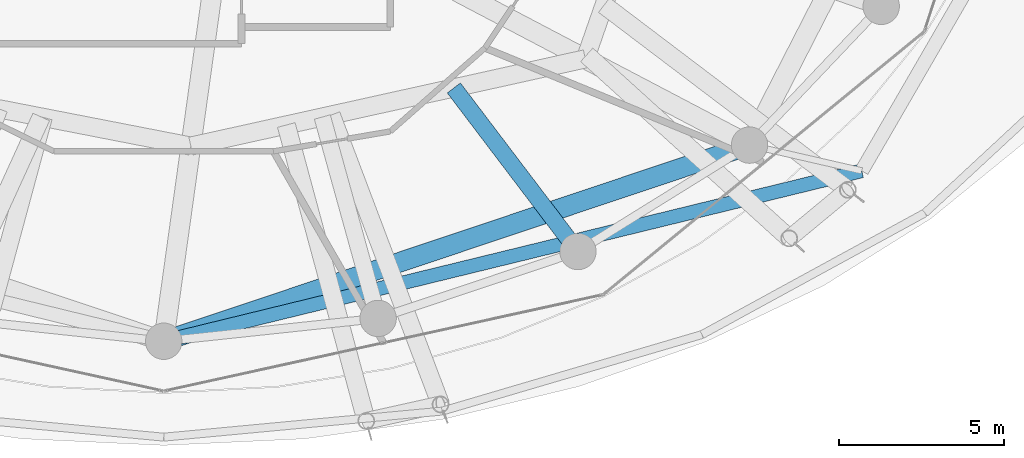
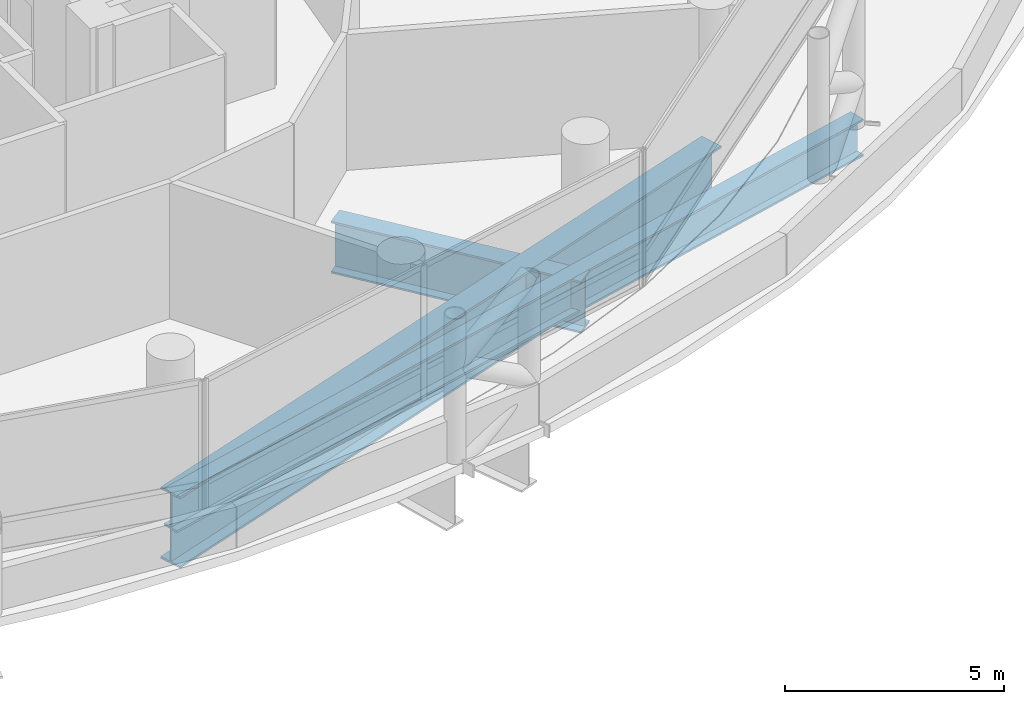
# One storey, part 11 of 37: 3 beams.
"""IFC4 building model written with IfcOpenShell, lengths in metres."""

from ifc_helpers import new_model, si_unit, direction, frame, origin, origin_2d, place, context, subcontext, project, spatial, i_section, extrude, material, material_profile, profile_set, type_object, element, save


model = new_model("IFC4")

# Units and contexts
model_context = context("Model", 3, precision=1e-05, world=origin(), true_north=direction((0.0, 1.0)))
body_context = subcontext(model_context, "Body", "Model", "MODEL_VIEW")
ifc_project = project(units=[si_unit("LENGTHUNIT", "METRE"), si_unit("AREAUNIT", "SQUARE_METRE"), si_unit("VOLUMEUNIT", "CUBIC_METRE"), si_unit("PLANEANGLEUNIT", "RADIAN"), si_unit("MASSUNIT", "GRAM", prefix="KILO")], contexts=[model_context])

# Site, building, storey
site_placement = place(None, origin())
site = spatial("IfcSite", under=ifc_project, at=site_placement, CompositionType="ELEMENT")
building_placement = place(site_placement, origin())
building = spatial("IfcBuilding", under=site, at=building_placement, Name="Nuhasar Tower", CompositionType="ELEMENT")
storey_placement = place(building_placement, frame((0.0, 0.0, 21.0)))
storey = spatial("IfcBuildingStorey", under=building, at=storey_placement, Name="L04", CompositionType="ELEMENT", Elevation=21.0)

# Beams
ifc_material = material(Name="Steel S460", Category="steel")
ifc_material_profile_1 = material_profile(ifc_material, i_section(OverallWidth=0.5, OverallDepth=1.449951171875, WebThickness=0.028076171875, FlangeThickness=0.050048828125, at=origin_2d()), Name="PG1450X500")
ifc_profile_set_1 = profile_set([ifc_material_profile_1], Name="Steel S460")
beam_type_1 = type_object("IfcBeamType", Name="BM-XFER-PG1450", PredefinedType="USERDEFINED", material=ifc_profile_set_1)
beam_1_placement = place(storey_placement, frame((47.77197265625, 14.208984375, -0.985107421875), z_axis=(0.604463936227, -0.796632506116, 0.0), x_axis=(0.796632506116, 0.604463936227, 0.0)))
element("IfcBeam", 1, at=beam_1_placement, inside=storey, type_object=beam_type_1, Name="L04 Inner Column Transfer Girder 21", ObjectType="GIRDER", PredefinedType="USERDEFINED", context=body_context, shape_type="SweptSolid", body=[
    extrude(i_section(OverallWidth=0.5, OverallDepth=1.449951171875, WebThickness=0.028076171875, FlangeThickness=0.050048828125, at=origin_2d()), origin(), (0.0, 0.0, 1.0), 6.208740234375),
])
ifc_material_profile_2 = material_profile(ifc_material, i_section(OverallWidth=0.60009765625, OverallDepth=2.0, WebThickness=0.035888671875, FlangeThickness=0.06005859375, at=origin_2d()), Name="PG2000X600")
ifc_profile_set_2 = profile_set([ifc_material_profile_2], Name="Steel S460")
beam_type_2 = type_object("IfcBeamType", Name="BM-XFER-PG2000", PredefinedType="USERDEFINED", material=ifc_profile_set_2)
beam_2_placement = place(storey_placement, frame((39.0, 6.550048828125, -1.260009765625), z_axis=(0.948255042429, 0.317509644748, 0.0), x_axis=(-0.317509644748, 0.948255042429, 0.0)))
element("IfcBeam", 2, at=beam_2_placement, inside=storey, type_object=beam_type_2, Name="L04 Podium-to-Tower Transfer Chord 02", ObjectType="GIRDER", PredefinedType="USERDEFINED", context=body_context, shape_type="SweptSolid", body=[
    extrude(i_section(OverallWidth=0.60009765625, OverallDepth=2.0, WebThickness=0.035888671875, FlangeThickness=0.06005859375, at=origin_2d()), origin(), (0.0, 0.0, 1.0), 18.679443359375),
])
ifc_material_profile_3 = material_profile(ifc_material, i_section(OverallWidth=0.419921875, OverallDepth=1.0400390625, WebThickness=0.031005859375, FlangeThickness=0.055908203125, at=origin_2d()), Name="W40X397")
ifc_profile_set_3 = profile_set([ifc_material_profile_3], Name="Steel S460")
beam_type_3 = type_object("IfcBeamType", Name="BM-XFER-W40X397", PredefinedType="USERDEFINED", material=ifc_profile_set_3)
beam_3_placement = place(storey_placement, frame((39.0, 6.550048828125, -0.780029296875), z_axis=(0.971469463574, 0.237164671365, 0.0), x_axis=(-0.237164671365, 0.971469463574, 0.0)))
element("IfcBeam", 3, at=beam_3_placement, inside=storey, type_object=beam_type_3, Name="L04 Podium Ring Girder 02", ObjectType="GIRDER", PredefinedType="USERDEFINED", context=body_context, shape_type="SweptSolid", body=[
    extrude(i_section(OverallWidth=0.419921875, OverallDepth=1.0400390625, WebThickness=0.031005859375, FlangeThickness=0.055908203125, at=origin_2d()), origin(), (0.0, 0.0, 1.0), 21.726806640625),
])

save(model, "model.ifc")
